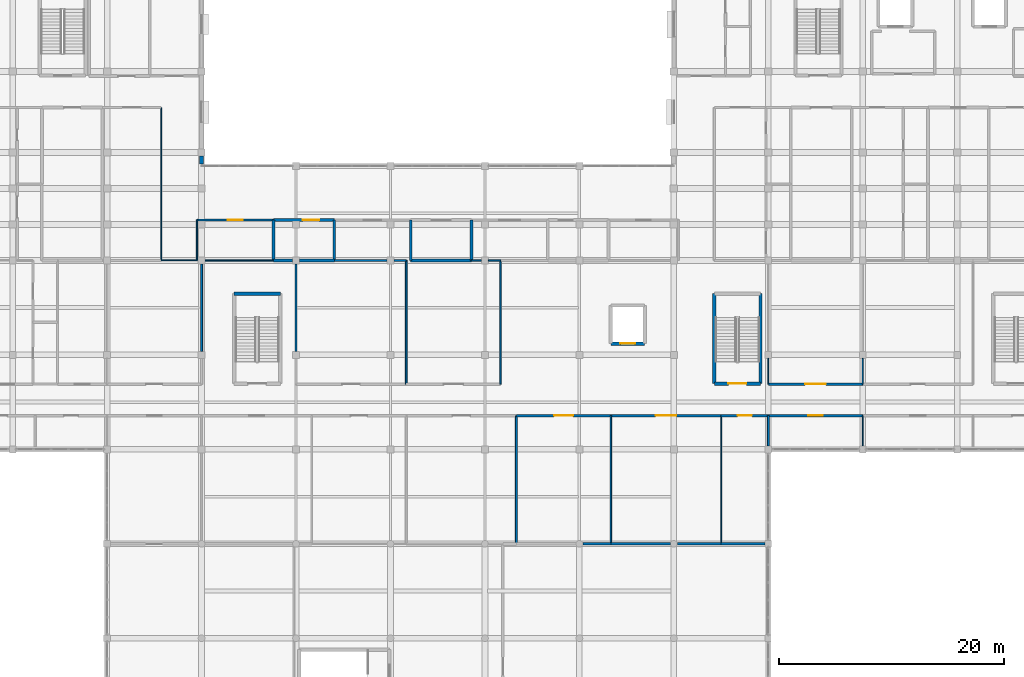
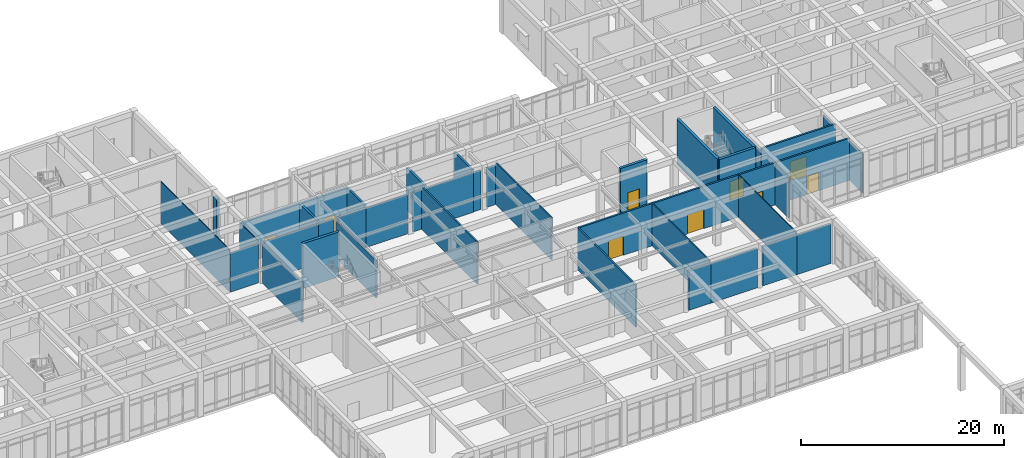
# One storey, part 61 of 89: 43 walls, 9 doors, 9 openings.
"""IFC4 building model written with IfcOpenShell, lengths in metres."""

from ifc_helpers import new_model, si_unit, direction, frame, frame_2d, origin, place, context, subcontext, project, spatial, rectangle, extrude, material, layer, layer_set, type_object, element, fill, save


model = new_model("IFC4")

# Units and contexts
model_context = context("Model", 3, precision=1e-05, world=origin(), true_north=direction((0.0, 1.0)))
body_context = subcontext(model_context, "Body", "Model", "MODEL_VIEW")
ifc_project = project(units=[si_unit("LENGTHUNIT", "METRE"), si_unit("AREAUNIT", "SQUARE_METRE"), si_unit("VOLUMEUNIT", "CUBIC_METRE"), si_unit("PLANEANGLEUNIT", "RADIAN"), si_unit("MASSUNIT", "GRAM", prefix="KILO")], contexts=[model_context])

# Site, building, storey
site_placement = place(None, origin())
site = spatial("IfcSite", under=ifc_project, at=site_placement, CompositionType="ELEMENT")
building_placement = place(site_placement, origin())
building = spatial("IfcBuilding", under=site, at=building_placement, Name="Varncliffe General Hospital", CompositionType="ELEMENT")
storey_placement = place(building_placement, frame((0.0, 0.0, 10.800048828125)))
storey = spatial("IfcBuildingStorey", under=building, at=storey_placement, Name="L02", CompositionType="ELEMENT", Elevation=10.800048828125)

# Walls
ifc_material_1 = material(Name="Precast concrete C40/50 with insulated cream lime-cement stucco", Category="concrete")
ifc_layer_1 = layer(ifc_material_1, 0.35009765625)
ifc_layer_set_1 = layer_set([ifc_layer_1], Name="Precast concrete C40/50 with insulated cream lime-cement stucco")
wall_type_1 = type_object("IfcWallType", Name="Exterior Insulated Stucco Wall EW37 (350mm)", PredefinedType="SOLIDWALL", material=ifc_layer_set_1)
wall_1_placement = place(storey_placement, frame((67.199951171875, 108.876953125, 0.0), z_axis=(0.0, 0.0, 1.0), x_axis=(0.0, -1.0, 0.0)))
element("IfcWall", 1, at=wall_1_placement, inside=storey, type_object=wall_type_1, Name="L02 Exterior Stucco Wall EW37-182", PredefinedType="SOLIDWALL", context=body_context, shape_type="SweptSolid", body=[
    extrude(rectangle(XDim=0.681884765625, YDim=0.35009765625, at=frame_2d((0.3408203125, 0.0))), origin(), (0.0, 0.0, 1.0), 4.679931640625),
])
ifc_material_2 = material(Name="Acoustic clinical gypsum stud partition assembly", Category="gypsum")
ifc_layer_2 = layer(ifc_material_2, 0.1298828125)
ifc_layer_set_2 = layer_set([ifc_layer_2], Name="Acoustic clinical gypsum stud partition assembly")
wall_type_2 = type_object("IfcWallType", Name="Interior Partitioning IW11 (130mm)", PredefinedType="PARTITIONING", material=ifc_layer_set_2)
wall_2_placement = place(storey_placement, frame((92.715087890625, 99.60009765625, 0.0), z_axis=(0.0, 0.0, 1.0), x_axis=(1.0, 0.0, 0.0)))
element("IfcWall", 2, at=wall_2_placement, inside=storey, type_object=wall_type_2, Name="L02 Interior Partition Wall IW11-1023", PredefinedType="PARTITIONING", context=body_context, shape_type="SweptSolid", body=[
    extrude(rectangle(XDim=1.0849609375, YDim=0.1298828125, at=frame_2d((0.54248046875, 0.0))), origin(), (0.0, 0.0, 1.0), 4.73486328125),
])
wall_3_placement = place(storey_placement, frame((91.199951171875, 99.60009765625, 0.0), z_axis=(0.0, 0.0, 1.0), x_axis=(1.0, 0.0, 0.0)))
element("IfcWall", 3, at=wall_3_placement, inside=storey, type_object=wall_type_2, Name="L02 Interior Partition Wall IW11-1024", PredefinedType="PARTITIONING", context=body_context, shape_type="SweptSolid", body=[
    extrude(rectangle(XDim=0.885009765625, YDim=0.1298828125, at=frame_2d((0.4423828125, 0.0))), origin(), (0.0, 0.0, 1.0), 4.73486328125),
])
wall_4_placement = place(storey_placement, frame((93.800048828125, 88.60009765625, 0.0), z_axis=(0.0, 0.0, 1.0), x_axis=(0.0, 1.0, 0.0)))
element("IfcWall", 4, at=wall_4_placement, inside=storey, type_object=wall_type_2, Name="L02 Interior Partition Wall IW11-1213", PredefinedType="PARTITIONING", context=body_context, shape_type="SweptSolid", body=[
    extrude(rectangle(XDim=11.0, YDim=0.1298828125, at=frame_2d((5.5, 0.0))), origin(), (0.0, 0.0, 1.0), 5.070068359375),
])
wall_5_placement = place(storey_placement, frame((103.60009765625, 74.39990234375, 0.0), z_axis=(0.0, 0.0, 1.0), x_axis=(0.0, 1.0, 0.0)))
element("IfcWall", 5, at=wall_5_placement, inside=storey, type_object=wall_type_2, Name="L02 Interior Partition Wall IW11-1218", PredefinedType="PARTITIONING", context=body_context, shape_type="SweptSolid", body=[
    extrude(rectangle(XDim=11.400146484375, YDim=0.1298828125, at=frame_2d((5.7001953125, 0.0))), origin(), (0.0, 0.0, 1.0), 5.070068359375),
])
ifc_layer_3 = layer(ifc_material_2, 0.169921875)
ifc_layer_set_3 = layer_set([ifc_layer_3], Name="Acoustic clinical gypsum stud partition assembly")
wall_type_3 = type_object("IfcWallType", Name="Interior Partitioning IW20 (170mm)", PredefinedType="PARTITIONING", material=ifc_layer_set_3)
wall_6_placement = place(storey_placement, frame((79.0, 99.60009765625, 0.0), z_axis=(0.0, 0.0, 1.0), x_axis=(1.0, 0.0, 0.0)))
element("IfcWall", 6, at=wall_6_placement, inside=storey, type_object=wall_type_3, Name="L02 Interior Partition Wall IW20-1020", PredefinedType="PARTITIONING", context=body_context, shape_type="SweptSolid", body=[
    extrude(rectangle(XDim=4.68505859375, YDim=0.169921875, at=frame_2d((2.342529296875, 0.0))), origin(), (0.0, 0.0, 1.0), 4.73486328125),
])
wall_7_placement = place(storey_placement, frame((84.31494140625, 99.60009765625, 0.0), z_axis=(0.0, 0.0, 1.0), x_axis=(1.0, 0.0, 0.0)))
element("IfcWall", 7, at=wall_7_placement, inside=storey, type_object=wall_type_3, Name="L02 Interior Partition Wall IW20-1021", PredefinedType="PARTITIONING", context=body_context, shape_type="SweptSolid", body=[
    extrude(rectangle(XDim=1.0849609375, YDim=0.169921875, at=frame_2d((0.54248046875, 0.0))), origin(), (0.0, 0.0, 1.0), 4.73486328125),
])
wall_8_placement = place(storey_placement, frame((67.199951171875, 91.514892578125, 0.0), z_axis=(0.0, 0.0, 1.0), x_axis=(0.0, 1.0, 0.0)))
element("IfcWall", 8, at=wall_8_placement, inside=storey, type_object=wall_type_3, Name="L02 Interior Partition Wall IW20-1200", PredefinedType="PARTITIONING", context=body_context, shape_type="SweptSolid", body=[
    extrude(rectangle(XDim=7.77001953125, YDim=0.169921875, at=frame_2d((3.885009765625, 0.0))), origin(), (0.0, 0.0, 1.0), 4.73486328125),
])
wall_9_placement = place(storey_placement, frame((75.60009765625, 91.514892578125, 0.0), z_axis=(0.0, 0.0, 1.0), x_axis=(0.0, 1.0, 0.0)))
element("IfcWall", 9, at=wall_9_placement, inside=storey, type_object=wall_type_3, Name="L02 Interior Partition Wall IW20-1205", PredefinedType="PARTITIONING", context=body_context, shape_type="SweptSolid", body=[
    extrude(rectangle(XDim=7.77001953125, YDim=0.169921875, at=frame_2d((3.885009765625, 0.0))), origin(), (0.0, 0.0, 1.0), 4.48583984375),
])
wall_10_placement = place(storey_placement, frame((85.39990234375, 88.60009765625, 0.0), z_axis=(0.0, 0.0, 1.0), x_axis=(0.0, 1.0, 0.0)))
element("IfcWall", 10, at=wall_10_placement, inside=storey, type_object=wall_type_3, Name="L02 Interior Partition Wall IW20-1210", PredefinedType="PARTITIONING", context=body_context, shape_type="SweptSolid", body=[
    extrude(rectangle(XDim=11.0, YDim=0.169921875, at=frame_2d((5.5, 0.0))), origin(), (0.0, 0.0, 1.0), 5.070068359375),
])
wall_11_placement = place(storey_placement, frame((95.199951171875, 74.39990234375, 0.0), z_axis=(0.0, 0.0, 1.0), x_axis=(0.0, 1.0, 0.0)))
element("IfcWall", 11, at=wall_11_placement, inside=storey, type_object=wall_type_3, Name="L02 Interior Partition Wall IW20-1215", PredefinedType="PARTITIONING", context=body_context, shape_type="SweptSolid", body=[
    extrude(rectangle(XDim=11.400146484375, YDim=0.169921875, at=frame_2d((5.7001953125, 0.0))), origin(), (0.0, 0.0, 1.0), 5.070068359375),
])
wall_12_placement = place(storey_placement, frame((117.60009765625, 83.114990234375, 0.0), z_axis=(0.0, 0.0, 1.0), x_axis=(0.0, 1.0, 0.0)))
element("IfcWall", 12, at=wall_12_placement, inside=storey, type_object=wall_type_3, Name="L02 Interior Partition Wall IW20-1230", PredefinedType="PARTITIONING", context=body_context, shape_type="SweptSolid", body=[
    extrude(rectangle(XDim=2.68505859375, YDim=0.169921875, at=frame_2d((1.342529296875, 0.0))), origin(), (0.0, 0.0, 1.0), 4.73486328125),
])
ifc_layer_4 = layer(ifc_material_2, 0.090087890625)
ifc_layer_set_4 = layer_set([ifc_layer_4], Name="Acoustic clinical gypsum stud partition assembly")
wall_type_4 = type_object("IfcWallType", Name="Interior Partitioning IW42 (90mm)", PredefinedType="PARTITIONING", material=ifc_layer_set_4)
wall_13_placement = place(storey_placement, frame((63.60009765625, 99.60009765625, 0.0), z_axis=(0.0, 0.0, 1.0), x_axis=(1.0, 0.0, 0.0)))
element("IfcWall", 13, at=wall_13_placement, inside=storey, type_object=wall_type_4, Name="L02 Interior Partition Wall IW42-1016", PredefinedType="PARTITIONING", context=body_context, shape_type="SweptSolid", body=[
    extrude(rectangle(XDim=3.199951171875, YDim=0.090087890625, at=frame_2d((1.60009765625, 0.0))), origin(), (0.0, 0.0, 1.0), 4.73486328125),
])
wall_14_placement = place(storey_placement, frame((63.60009765625, 99.60009765625, 0.0), z_axis=(0.0, 0.0, 1.0), x_axis=(0.0, 1.0, 0.0)))
element("IfcWall", 14, at=wall_14_placement, inside=storey, type_object=wall_type_4, Name="L02 Interior Partition Wall IW42-1196", PredefinedType="PARTITIONING", context=body_context, shape_type="SweptSolid", body=[
    extrude(rectangle(XDim=13.599853515625, YDim=0.090087890625, at=frame_2d((6.7998046875, 0.0))), origin(), (0.0, 0.0, 1.0), 5.070068359375),
])
wall_15_placement = place(storey_placement, frame((113.39990234375, 74.39990234375, 0.0), z_axis=(0.0, 0.0, 1.0), x_axis=(0.0, 1.0, 0.0)))
element("IfcWall", 15, at=wall_15_placement, inside=storey, type_object=wall_type_4, Name="L02 Interior Partition Wall IW42-1221", PredefinedType="PARTITIONING", context=body_context, shape_type="SweptSolid", body=[
    extrude(rectangle(XDim=11.400146484375, YDim=0.090087890625, at=frame_2d((5.7001953125, 0.0))), origin(), (0.0, 0.0, 1.0), 5.070068359375),
])
wall_16_placement = place(storey_placement, frame((117.60009765625, 88.60009765625, 0.0), z_axis=(0.0, 0.0, 1.0), x_axis=(0.0, 1.0, 0.0)))
element("IfcWall", 16, at=wall_16_placement, inside=storey, type_object=wall_type_4, Name="L02 Interior Partition Wall IW42-1232", PredefinedType="PARTITIONING", context=body_context, shape_type="SweptSolid", body=[
    extrude(rectangle(XDim=2.284912109375, YDim=0.090087890625, at=frame_2d((1.142578125, 0.0))), origin(), (0.0, 0.0, 1.0), 4.73486328125),
])
wall_17_placement = place(storey_placement, frame((126.0, 83.114990234375, 0.0), z_axis=(0.0, 0.0, 1.0), x_axis=(0.0, 1.0, 0.0)))
element("IfcWall", 17, at=wall_17_placement, inside=storey, type_object=wall_type_4, Name="L02 Interior Partition Wall IW42-1241", PredefinedType="PARTITIONING", context=body_context, shape_type="SweptSolid", body=[
    extrude(rectangle(XDim=2.68505859375, YDim=0.090087890625, at=frame_2d((1.342529296875, 0.0))), origin(), (0.0, 0.0, 1.0), 4.73486328125),
])
ifc_layer_5 = layer(ifc_material_2, 0.110107421875)
ifc_layer_set_5 = layer_set([ifc_layer_5], Name="Acoustic clinical gypsum stud partition assembly")
wall_type_5 = type_object("IfcWallType", Name="Interior Partitioning IW65 (110mm)", PredefinedType="PARTITIONING", material=ifc_layer_set_5)
wall_18_placement = place(storey_placement, frame((67.514892578125, 99.60009765625, 0.0), z_axis=(0.0, 0.0, 1.0), x_axis=(1.0, 0.0, 0.0)))
element("IfcWall", 18, at=wall_18_placement, inside=storey, type_object=wall_type_5, Name="L02 Interior Partition Wall IW65-1017", PredefinedType="PARTITIONING", context=body_context, shape_type="SweptSolid", body=[
    extrude(rectangle(XDim=6.085205078125, YDim=0.110107421875, at=frame_2d((3.04248046875, 0.0))), origin(), (0.0, 0.0, 1.0), 4.73486328125),
])
wall_19_placement = place(storey_placement, frame((66.800048828125, 99.60009765625, 0.0), z_axis=(0.0, 0.0, 1.0), x_axis=(0.0, 1.0, 0.0)))
element("IfcWall", 19, at=wall_19_placement, inside=storey, type_object=wall_type_5, Name="L02 Interior Partition Wall IW65-1197", PredefinedType="PARTITIONING", context=body_context, shape_type="SweptSolid", body=[
    extrude(rectangle(XDim=3.599853515625, YDim=0.110107421875, at=frame_2d((1.7998046875, 0.0))), origin(), (0.0, 0.0, 1.0), 5.070068359375),
])
wall_20_placement = place(storey_placement, frame((126.0, 88.60009765625, 0.0), z_axis=(0.0, 0.0, 1.0), x_axis=(0.0, 1.0, 0.0)))
element("IfcWall", 20, at=wall_20_placement, inside=storey, type_object=wall_type_5, Name="L02 Interior Partition Wall IW65-1243", PredefinedType="PARTITIONING", context=body_context, shape_type="SweptSolid", body=[
    extrude(rectangle(XDim=2.284912109375, YDim=0.110107421875, at=frame_2d((1.142578125, 0.0))), origin(), (0.0, 0.0, 1.0), 4.73486328125),
])
ifc_material_3 = material(Name="Fire-rated gypsum and mineral-wool partition assembly", Category="gypsum")
ifc_layer_6 = layer(ifc_material_3, 0.25)
ifc_layer_set_6 = layer_set([ifc_layer_6], Name="Fire-rated gypsum and mineral-wool partition assembly")
wall_type_6 = type_object("IfcWallType", Name="Interior Partitioning PW38 (250mm)", PredefinedType="PARTITIONING", material=ifc_layer_set_6)
wall_21_placement = place(storey_placement, frame((75.9150390625, 99.60009765625, 0.0), z_axis=(0.0, 0.0, 1.0), x_axis=(1.0, 0.0, 0.0)))
element("IfcWall", 21, at=wall_21_placement, inside=storey, type_object=wall_type_6, Name="L02 Interior Partition Wall PW38-1019", PredefinedType="PARTITIONING", context=body_context, shape_type="SweptSolid", body=[
    extrude(rectangle(XDim=3.0849609375, YDim=0.25, at=frame_2d((1.54248046875, 0.0))), origin(), (0.0, 0.0, 1.0), 4.73486328125),
])
wall_22_placement = place(storey_placement, frame((85.800048828125, 99.60009765625, 0.0), z_axis=(0.0, 0.0, 1.0), x_axis=(0.0, 1.0, 0.0)))
element("IfcWall", 22, at=wall_22_placement, inside=storey, type_object=wall_type_6, Name="L02 Interior Partition Wall PW38-1211", PredefinedType="PARTITIONING", context=body_context, shape_type="SweptSolid", body=[
    extrude(rectangle(XDim=3.599853515625, YDim=0.25, at=frame_2d((1.7998046875, 0.0))), origin(), (0.0, 0.0, 1.0), 5.070068359375),
])
ifc_layer_7 = layer(ifc_material_3, 0.22998046875)
ifc_layer_set_7 = layer_set([ifc_layer_7], Name="Fire-rated gypsum and mineral-wool partition assembly")
wall_type_7 = type_object("IfcWallType", Name="Interior Partitioning PW48 (230mm)", PredefinedType="PARTITIONING", material=ifc_layer_set_7)
wall_23_placement = place(storey_placement, frame((101.114990234375, 74.39990234375, 0.0), z_axis=(0.0, 0.0, 1.0), x_axis=(1.0, 0.0, 0.0)))
element("IfcWall", 23, at=wall_23_placement, inside=storey, type_object=wall_type_7, Name="L02 Interior Partition Wall PW48-937", PredefinedType="PARTITIONING", context=body_context, shape_type="SweptSolid", body=[
    extrude(rectangle(XDim=2.485107421875, YDim=0.22998046875, at=frame_2d((1.24267578125, 0.0))), origin(), (0.0, 0.0, 1.0), 4.73486328125),
])
wall_24_placement = place(storey_placement, frame((103.60009765625, 74.39990234375, 0.0), z_axis=(0.0, 0.0, 1.0), x_axis=(1.0, 0.0, 0.0)))
element("IfcWall", 24, at=wall_24_placement, inside=storey, type_object=wall_type_7, Name="L02 Interior Partition Wall PW48-938", PredefinedType="PARTITIONING", context=body_context, shape_type="SweptSolid", body=[
    extrude(rectangle(XDim=5.284912109375, YDim=0.22998046875, at=frame_2d((2.642578125, 0.0))), origin(), (0.0, 0.0, 1.0), 4.73486328125),
])
for number, where, z_axis, x_axis, name in (
    (25, (109.514892578125, 74.39990234375, 0.0), (0.0, 0.0, 1.0), (1.0, 0.0, 0.0), "L02 Interior Partition Wall PW48-939"),
    (26, (113.39990234375, 74.39990234375, 0.0), (0.0, 0.0, 1.0), (1.0, 0.0, 0.0), "L02 Interior Partition Wall PW48-940"),
):
    element("IfcWall", number, at=place(storey_placement, frame(where, z_axis=z_axis, x_axis=x_axis)), inside=storey, type_object=wall_type_7, Name=name, PredefinedType="PARTITIONING", context=body_context, shape_type="SweptSolid", body=[
        extrude(rectangle(XDim=3.885009765625, YDim=0.22998046875, at=frame_2d((1.9423828125, 0.0))), origin(), (0.0, 0.0, 1.0), 4.73486328125),
    ])
wall_25_placement = place(storey_placement, frame((73.60009765625, 99.60009765625, 0.0), z_axis=(0.0, 0.0, 1.0), x_axis=(1.0, 0.0, 0.0)))
element("IfcWall", 27, at=wall_25_placement, inside=storey, type_object=wall_type_7, Name="L02 Interior Partition Wall PW48-1018", PredefinedType="PARTITIONING", context=body_context, shape_type="SweptSolid", body=[
    extrude(rectangle(XDim=1.684814453125, YDim=0.22998046875, at=frame_2d((0.84228515625, 0.0))), origin(), (0.0, 0.0, 1.0), 4.73486328125),
])
wall_26_placement = place(storey_placement, frame((85.800048828125, 99.60009765625, 0.0), z_axis=(0.0, 0.0, 1.0), x_axis=(1.0, 0.0, 0.0)))
element("IfcWall", 28, at=wall_26_placement, inside=storey, type_object=wall_type_7, Name="L02 Interior Partition Wall PW48-1022", PredefinedType="PARTITIONING", context=body_context, shape_type="SweptSolid", body=[
    extrude(rectangle(XDim=5.39990234375, YDim=0.22998046875, at=frame_2d((2.699951171875, 0.0))), origin(), (0.0, 0.0, 1.0), 4.73486328125),
])

# Wall, opening, door
wall_27_placement = place(storey_placement, frame((73.60009765625, 103.199951171875, 0.0), z_axis=(0.0, 0.0, 1.0), x_axis=(1.0, 0.0, 0.0)))
wall_27 = element("IfcWall", 29, at=wall_27_placement, inside=storey, type_object=wall_type_7, Name="L02 Interior Partition Wall PW48-1048", PredefinedType="PARTITIONING", context=body_context, shape_type="SweptSolid", body=[
    extrude(rectangle(XDim=5.39990234375, YDim=0.22998046875, at=frame_2d((2.699951171875, 0.0))), origin(), (0.0, 0.0, 1.0), 5.070068359375),
])
opening_1_placement = place(wall_27_placement, frame((2.599609375, 0.0, 0.0)))
opening_1 = element("IfcOpeningElement", 30, at=opening_1_placement, cuts=wall_27, Name="Opening DC66", PredefinedType="OPENING", context=body_context, shape_type="SweptSolid", body=[
    extrude(rectangle(XDim=1.449951171875, YDim=2.25, at=frame_2d((0.72509765625, 1.125))), frame((0.0, 0.125, 0.0), z_axis=(0.0, -1.0, 0.0), x_axis=(1.0, 0.0, 0.0)), (0.0, 0.0, 1.0), 0.25),
])
ifc_material_4 = material(Name="Fire-rated hospital steel-frame vision-panel door", Category="steel")
door_type_1 = type_object("IfcDoorType", Name="Interior Hospital Door DC66 (1450x2250)", OperationType="NOTDEFINED", PredefinedType="DOOR", material=ifc_material_4)
door_1_placement = place(opening_1_placement, frame((1.449951171875, 0.0, 0.0), z_axis=(0.0, 0.0, 1.0), x_axis=(-1.0, 0.0, 0.0)))
door_1 = element("IfcDoor", 31, at=door_1_placement, inside=storey, type_object=door_type_1, Name="L02 Surgical Sub-Sterile Utility Store 169 Door", OperationType="SINGLE_SWING_RIGHT", OverallHeight=2.25, OverallWidth=1.449951171875, PredefinedType="DOOR", context=body_context, shape_type="SweptSolid", body=[
    extrude(rectangle(XDim=1.449951171875, YDim=2.25, at=frame_2d((0.72509765625, 1.125))), frame((0.0, 0.02490234375, 0.0), z_axis=(0.0, -1.0, 0.0), x_axis=(1.0, 0.0, 0.0)), (0.0, 0.0, 1.0), 0.050048828125),
])
fill(opening_1, door_1)

# Walls
for number, where, z_axis, x_axis, name in (
    (32, (73.60009765625, 99.60009765625, 0.0), (0.0, 0.0, 1.0), (0.0, 1.0, 0.0), "L02 Interior Partition Wall PW48-1202"),
    (33, (79.0, 99.60009765625, 0.0), (0.0, 0.0, 1.0), (0.0, 1.0, 0.0), "L02 Interior Partition Wall PW48-1208"),
    (34, (91.199951171875, 99.60009765625, 0.0), (0.0, 0.0, 1.0), (0.0, 1.0, 0.0), "L02 Interior Partition Wall PW48-1212"),
):
    element("IfcWall", number, at=place(storey_placement, frame(where, z_axis=z_axis, x_axis=x_axis)), inside=storey, type_object=wall_type_7, Name=name, PredefinedType="PARTITIONING", context=body_context, shape_type="SweptSolid", body=[
        extrude(rectangle(XDim=3.599853515625, YDim=0.22998046875, at=frame_2d((1.7998046875, 0.0))), origin(), (0.0, 0.0, 1.0), 5.070068359375),
    ])

# Wall, opening, door
ifc_layer_8 = layer(ifc_material_3, 0.199951171875)
ifc_layer_set_8 = layer_set([ifc_layer_8], Name="Fire-rated gypsum and mineral-wool partition assembly")
wall_type_8 = type_object("IfcWallType", Name="Interior Partitioning PW63 (200mm)", PredefinedType="PARTITIONING", material=ifc_layer_set_8)
wall_28_placement = place(storey_placement, frame((95.199951171875, 85.800048828125, 0.0), z_axis=(0.0, 0.0, 1.0), x_axis=(1.0, 0.0, 0.0)))
wall_28 = element("IfcWall", 35, at=wall_28_placement, inside=storey, type_object=wall_type_8, Name="L02 Interior Partition Wall PW63-960", PredefinedType="PARTITIONING", context=body_context, shape_type="SweptSolid", body=[
    extrude(rectangle(XDim=8.400146484375, YDim=0.199951171875, at=frame_2d((4.2001953125, 0.0))), origin(), (0.0, 0.0, 1.0), 5.070068359375),
])
opening_2_placement = place(wall_28_placement, frame((3.35009765625, 0.0, 0.0)))
opening_2 = element("IfcOpeningElement", 36, at=opening_2_placement, cuts=wall_28, Name="Opening DC50", PredefinedType="OPENING", context=body_context, shape_type="SweptSolid", body=[
    extrude(rectangle(XDim=1.699951171875, YDim=2.300048828125, at=frame_2d((0.85009765625, 1.14990234375))), frame((0.0, 0.10986328125, 0.0), z_axis=(0.0, -1.0, 0.0), x_axis=(1.0, 0.0, 0.0)), (0.0, 0.0, 1.0), 0.219970703125),
])
door_type_2 = type_object("IfcDoorType", Name="Interior Hospital Door DC50 (1700x2300)", OperationType="NOTDEFINED", PredefinedType="DOOR", material=ifc_material_4)
door_2_placement = place(opening_2_placement, frame((1.699951171875, 0.0, 0.0), z_axis=(0.0, 0.0, 1.0), x_axis=(-1.0, 0.0, 0.0)))
door_2 = element("IfcDoor", 37, at=door_2_placement, inside=storey, type_object=door_type_2, Name="L02 Surgical Operating Theatre 68 Door", OperationType="SINGLE_SWING_LEFT", OverallHeight=2.300048828125, OverallWidth=1.699951171875, PredefinedType="DOOR", context=body_context, shape_type="SweptSolid", body=[
    extrude(rectangle(XDim=1.699951171875, YDim=2.300048828125, at=frame_2d((0.85009765625, 1.14990234375))), frame((0.0, 0.02490234375, 0.0), z_axis=(0.0, -1.0, 0.0), x_axis=(1.0, 0.0, 0.0)), (0.0, 0.0, 1.0), 0.050048828125),
])
fill(opening_2, door_2)

wall_29_placement = place(storey_placement, frame((103.60009765625, 85.800048828125, 0.0), z_axis=(0.0, 0.0, 1.0), x_axis=(1.0, 0.0, 0.0)))
wall_29 = element("IfcWall", 38, at=wall_29_placement, inside=storey, type_object=wall_type_8, Name="L02 Interior Partition Wall PW63-961", PredefinedType="PARTITIONING", context=body_context, shape_type="SweptSolid", body=[
    extrude(rectangle(XDim=9.7998046875, YDim=0.199951171875, at=frame_2d((4.89990234375, 0.0))), origin(), (0.0, 0.0, 1.0), 5.070068359375),
])
opening_3_placement = place(wall_29_placement, frame((3.97509765625, 0.0, 0.0)))
opening_3 = element("IfcOpeningElement", 39, at=opening_3_placement, cuts=wall_29, Name="Opening DC38", PredefinedType="OPENING", context=body_context, shape_type="SweptSolid", body=[
    extrude(rectangle(XDim=1.85009765625, YDim=2.300048828125, at=frame_2d((0.925048828125, 1.14990234375))), frame((0.0, 0.10986328125, 0.0), z_axis=(0.0, -1.0, 0.0), x_axis=(1.0, 0.0, 0.0)), (0.0, 0.0, 1.0), 0.219970703125),
])
door_type_3 = type_object("IfcDoorType", Name="Interior Hospital Door DC38 (1850x2300)", OperationType="NOTDEFINED", PredefinedType="DOOR", material=ifc_material_4)
door_3_placement = place(opening_3_placement, frame((1.85009765625, 0.0, 0.0), z_axis=(0.0, 0.0, 1.0), x_axis=(-1.0, 0.0, 0.0)))
door_3 = element("IfcDoor", 40, at=door_3_placement, inside=storey, type_object=door_type_3, Name="L02 Post-Anaesthesia Care Recovery PACU 69 Door", OperationType="SINGLE_SWING_RIGHT", OverallHeight=2.300048828125, OverallWidth=1.85009765625, PredefinedType="DOOR", context=body_context, shape_type="SweptSolid", body=[
    extrude(rectangle(XDim=1.85009765625, YDim=2.300048828125, at=frame_2d((0.925048828125, 1.14990234375))), frame((0.0, 0.02490234375, 0.0), z_axis=(0.0, -1.0, 0.0), x_axis=(1.0, 0.0, 0.0)), (0.0, 0.0, 1.0), 0.050048828125),
])
fill(opening_3, door_3)

wall_30_placement = place(storey_placement, frame((113.39990234375, 85.800048828125, 0.0), z_axis=(0.0, 0.0, 1.0), x_axis=(1.0, 0.0, 0.0)))
wall_30 = element("IfcWall", 41, at=wall_30_placement, inside=storey, type_object=wall_type_8, Name="L02 Interior Partition Wall PW63-962", PredefinedType="PARTITIONING", context=body_context, shape_type="SweptSolid", body=[
    extrude(rectangle(XDim=4.2001953125, YDim=0.199951171875, at=frame_2d((2.10009765625, 0.0))), origin(), (0.0, 0.0, 1.0), 5.070068359375),
])
opening_4_placement = place(wall_30_placement, frame((1.47509765625, 0.0, 0.0)))
opening_4 = element("IfcOpeningElement", 42, at=opening_4_placement, cuts=wall_30, Name="Opening DC44", PredefinedType="OPENING", context=body_context, shape_type="SweptSolid", body=[
    extrude(rectangle(XDim=1.25, YDim=2.14990234375, at=frame_2d((0.625, 1.074951171875))), frame((0.0, 0.10986328125, 0.0), z_axis=(0.0, -1.0, 0.0), x_axis=(1.0, 0.0, 0.0)), (0.0, 0.0, 1.0), 0.219970703125),
])
door_type_4 = type_object("IfcDoorType", Name="Interior Hospital Door DC44 (1250x2150)", OperationType="NOTDEFINED", PredefinedType="DOOR", material=ifc_material_4)
door_4_placement = place(opening_4_placement, frame((1.25, 0.0, 0.0), z_axis=(0.0, 0.0, 1.0), x_axis=(-1.0, 0.0, 0.0)))
door_4 = element("IfcDoor", 43, at=door_4_placement, inside=storey, type_object=door_type_4, Name="L02 Surgical Operating Theatre 70 Door", OperationType="SINGLE_SWING_LEFT", OverallHeight=2.14990234375, OverallWidth=1.25, PredefinedType="DOOR", context=body_context, shape_type="SweptSolid", body=[
    extrude(rectangle(XDim=1.25, YDim=2.14990234375, at=frame_2d((0.625, 1.074951171875))), frame((0.0, 0.02490234375, 0.0), z_axis=(0.0, -1.0, 0.0), x_axis=(1.0, 0.0, 0.0)), (0.0, 0.0, 1.0), 0.050048828125),
])
fill(opening_4, door_4)

wall_31_placement = place(storey_placement, frame((117.60009765625, 85.800048828125, 0.0), z_axis=(0.0, 0.0, 1.0), x_axis=(1.0, 0.0, 0.0)))
wall_31 = element("IfcWall", 44, at=wall_31_placement, inside=storey, type_object=wall_type_8, Name="L02 Interior Partition Wall PW63-963", PredefinedType="PARTITIONING", context=body_context, shape_type="SweptSolid", body=[
    extrude(rectangle(XDim=8.39990234375, YDim=0.199951171875, at=frame_2d((4.199951171875, 0.0))), origin(), (0.0, 0.0, 1.0), 5.070068359375),
])
opening_5_placement = place(wall_31_placement, frame((3.550048828125, 0.0, 0.0)))
opening_5 = element("IfcOpeningElement", 45, at=opening_5_placement, cuts=wall_31, Name="Opening DC88", PredefinedType="OPENING", context=body_context, shape_type="SweptSolid", body=[
    extrude(rectangle(XDim=1.300048828125, YDim=2.199951171875, at=frame_2d((0.64990234375, 1.10009765625))), frame((0.0, 0.10986328125, 0.0), z_axis=(0.0, -1.0, 0.0), x_axis=(1.0, 0.0, 0.0)), (0.0, 0.0, 1.0), 0.219970703125),
])
door_type_5 = type_object("IfcDoorType", Name="Interior Hospital Door DC88 (1300x2200)", OperationType="NOTDEFINED", PredefinedType="DOOR", material=ifc_material_4)
door_5_placement = place(opening_5_placement, frame((1.300048828125, 0.0, 0.0), z_axis=(0.0, 0.0, 1.0), x_axis=(-1.0, 0.0, 0.0)))
door_5 = element("IfcDoor", 46, at=door_5_placement, inside=storey, type_object=door_type_5, Name="L02 Surgical Operating Theatre 71 Door", OperationType="SINGLE_SWING_RIGHT", OverallHeight=2.199951171875, OverallWidth=1.300048828125, PredefinedType="DOOR", context=body_context, shape_type="SweptSolid", body=[
    extrude(rectangle(XDim=1.300048828125, YDim=2.199951171875, at=frame_2d((0.64990234375, 1.10009765625))), frame((0.0, 0.02490234375, 0.0), z_axis=(0.0, -1.0, 0.0), x_axis=(1.0, 0.0, 0.0)), (0.0, 0.0, 1.0), 0.050048828125),
])
fill(opening_5, door_5)

wall_32_placement = place(storey_placement, frame((117.60009765625, 88.60009765625, 0.0), z_axis=(0.0, 0.0, 1.0), x_axis=(1.0, 0.0, 0.0)))
wall_32 = element("IfcWall", 47, at=wall_32_placement, inside=storey, type_object=wall_type_8, Name="L02 Interior Partition Wall PW63-979", PredefinedType="PARTITIONING", context=body_context, shape_type="SweptSolid", body=[
    extrude(rectangle(XDim=8.39990234375, YDim=0.199951171875, at=frame_2d((4.199951171875, 0.0))), origin(), (0.0, 0.0, 1.0), 5.070068359375),
])
opening_6_placement = place(wall_32_placement, frame((3.27490234375, 0.0, 0.0)))
opening_6 = element("IfcOpeningElement", 48, at=opening_6_placement, cuts=wall_32, Name="Opening DC38", PredefinedType="OPENING", context=body_context, shape_type="SweptSolid", body=[
    extrude(rectangle(XDim=1.85009765625, YDim=2.300048828125, at=frame_2d((0.925048828125, 1.14990234375))), frame((0.0, 0.10986328125, 0.0), z_axis=(0.0, -1.0, 0.0), x_axis=(1.0, 0.0, 0.0)), (0.0, 0.0, 1.0), 0.219970703125),
])
door_6_placement = place(opening_6_placement, origin())
door_6 = element("IfcDoor", 49, at=door_6_placement, inside=storey, type_object=door_type_3, Name="L02 Surgical Operating Theatre 78 Door", OperationType="SINGLE_SWING_RIGHT", OverallHeight=2.300048828125, OverallWidth=1.85009765625, PredefinedType="DOOR", context=body_context, shape_type="SweptSolid", body=[
    extrude(rectangle(XDim=1.85009765625, YDim=2.300048828125, at=frame_2d((0.925048828125, 1.14990234375))), frame((0.0, 0.02490234375, 0.0), z_axis=(0.0, -1.0, 0.0), x_axis=(1.0, 0.0, 0.0)), (0.0, 0.0, 1.0), 0.050048828125),
])
fill(opening_6, door_6)

wall_33_placement = place(storey_placement, frame((66.800048828125, 103.199951171875, 0.0), z_axis=(0.0, 0.0, 1.0), x_axis=(1.0, 0.0, 0.0)))
wall_33 = element("IfcWall", 50, at=wall_33_placement, inside=storey, type_object=wall_type_8, Name="L02 Interior Partition Wall PW63-1047", PredefinedType="PARTITIONING", context=body_context, shape_type="SweptSolid", body=[
    extrude(rectangle(XDim=6.800048828125, YDim=0.199951171875, at=frame_2d((3.39990234375, 0.0))), origin(), (0.0, 0.0, 1.0), 5.070068359375),
])
opening_7_placement = place(wall_33_placement, frame((2.72509765625, 0.0, 0.0)))
opening_7 = element("IfcOpeningElement", 51, at=opening_7_placement, cuts=wall_33, Name="Opening DC85", PredefinedType="OPENING", context=body_context, shape_type="SweptSolid", body=[
    extrude(rectangle(XDim=1.35009765625, YDim=2.199951171875, at=frame_2d((0.675048828125, 1.10009765625))), frame((0.0, 0.10986328125, 0.0), z_axis=(0.0, -1.0, 0.0), x_axis=(1.0, 0.0, 0.0)), (0.0, 0.0, 1.0), 0.219970703125),
])
door_type_6 = type_object("IfcDoorType", Name="Interior Hospital Door DC85 (1350x2200)", OperationType="NOTDEFINED", PredefinedType="DOOR", material=ifc_material_4)
door_7_placement = place(opening_7_placement, frame((1.35009765625, 0.0, 0.0), z_axis=(0.0, 0.0, 1.0), x_axis=(-1.0, 0.0, 0.0)))
door_7 = element("IfcDoor", 52, at=door_7_placement, inside=storey, type_object=door_type_6, Name="L02 Surgical Inpatient Ward Room 168 Door", OperationType="SINGLE_SWING_LEFT", OverallHeight=2.199951171875, OverallWidth=1.35009765625, PredefinedType="DOOR", context=body_context, shape_type="SweptSolid", body=[
    extrude(rectangle(XDim=1.35009765625, YDim=2.199951171875, at=frame_2d((0.675048828125, 1.10009765625))), frame((0.0, 0.02490234375, 0.0), z_axis=(0.0, -1.0, 0.0), x_axis=(1.0, 0.0, 0.0)), (0.0, 0.0, 1.0), 0.050048828125),
])
fill(opening_7, door_7)

# Walls
ifc_material_5 = material(Name="Concrete C40/50 (CSA A23.1 40 MPa)", Category="concrete")
ifc_layer_9 = layer(ifc_material_5, 0.300048828125)
ifc_layer_set_9 = layer_set([ifc_layer_9], Name="Concrete C40/50 (CSA A23.1 40 MPa)")
wall_type_9 = type_object("IfcWallType", Name="Reinforced Concrete Core Shear Wall CW12 (300mm)", PredefinedType="SHEAR", material=ifc_layer_set_9)
for number, where, z_axis, x_axis, name in (
    (53, (116.89990234375, 88.64990234375, 0.0), (0.0, 0.0, 1.0), (0.0, 1.0, 0.0), "L02 ST06 Core Shear Wall L"),
    (54, (112.800048828125, 96.64990234375, 0.0), (0.0, 0.0, 1.0), (0.0, -1.0, 0.0), "L02 ST06 Core Shear Wall R"),
):
    element("IfcWall", number, at=place(storey_placement, frame(where, z_axis=z_axis, x_axis=x_axis)), inside=storey, type_object=wall_type_9, Name=name, PredefinedType="SHEAR", context=body_context, shape_type="SweptSolid", body=[
        extrude(rectangle(XDim=8.0, YDim=0.300048828125, at=frame_2d((4.0, 0.0))), origin(), (0.0, 0.0, 1.0), 5.39990234375),
    ])

# Wall, opening, door
wall_34_placement = place(storey_placement, frame((112.800048828125, 88.64990234375, 0.0), z_axis=(0.0, 0.0, 1.0), x_axis=(1.0, 0.0, 0.0)))
wall_34 = element("IfcWall", 55, at=wall_34_placement, inside=storey, type_object=wall_type_9, Name="L02 ST06 Core Shear Wall N", PredefinedType="SHEAR", context=body_context, shape_type="SweptSolid", body=[
    extrude(rectangle(XDim=4.099853515625, YDim=0.300048828125, at=frame_2d((2.0498046875, 0.0))), origin(), (0.0, 0.0, 1.0), 5.39990234375),
])
opening_8_placement = place(wall_34_placement, frame((1.25, 0.0, 0.0)))
opening_8 = element("IfcOpeningElement", 56, at=opening_8_placement, cuts=wall_34, Name="Opening DF27", PredefinedType="OPENING", context=body_context, shape_type="SweptSolid", body=[
    extrude(rectangle(XDim=1.60009765625, YDim=2.25, at=frame_2d((0.800048828125, 1.125))), frame((0.0, 0.16015625, 0.0), z_axis=(0.0, -1.0, 0.0), x_axis=(1.0, 0.0, 0.0)), (0.0, 0.0, 1.0), 0.320068359375),
])
door_type_7 = type_object("IfcDoorType", Name="Interior Hospital Door DF27 (1600x2250)", OperationType="NOTDEFINED", PredefinedType="DOOR", material=ifc_material_4)
door_8_placement = place(opening_8_placement, frame((1.60009765625, 0.0, 0.0), z_axis=(0.0, 0.0, 1.0), x_axis=(-1.0, 0.0, 0.0)))
door_8 = element("IfcDoor", 57, at=door_8_placement, inside=storey, type_object=door_type_7, Name="L02 ST06 Protected Exit Stair Door", OperationType="SINGLE_SWING_LEFT", OverallHeight=2.25, OverallWidth=1.60009765625, PredefinedType="DOOR", context=body_context, shape_type="SweptSolid", body=[
    extrude(rectangle(XDim=1.60009765625, YDim=2.25, at=frame_2d((0.800048828125, 1.125))), frame((0.0, 0.02490234375, 0.0), z_axis=(0.0, -1.0, 0.0), x_axis=(1.0, 0.0, 0.0)), (0.0, 0.0, 1.0), 0.050048828125),
])
fill(opening_8, door_8)

# Wall
wall_35_placement = place(storey_placement, frame((74.199951171875, 96.64990234375, 0.0), z_axis=(0.0, 0.0, 1.0), x_axis=(-1.0, 0.0, 0.0)))
element("IfcWall", 58, at=wall_35_placement, inside=storey, type_object=wall_type_9, Name="L02 ST12 Core Shear Wall F", PredefinedType="SHEAR", context=body_context, shape_type="SweptSolid", body=[
    extrude(rectangle(XDim=4.099853515625, YDim=0.300048828125, at=frame_2d((2.0498046875, 0.0))), origin(), (0.0, 0.0, 1.0), 5.39990234375),
])

# Wall, opening, door
wall_36_placement = place(storey_placement, frame((103.60009765625, 92.199951171875, 0.0), z_axis=(0.0, 0.0, 1.0), x_axis=(1.0, 0.0, 0.0)))
wall_36 = element("IfcWall", 59, at=wall_36_placement, inside=storey, type_object=wall_type_9, Name="L02 LF07 Elevator Shaft Wall South", PredefinedType="SHEAR", context=body_context, shape_type="SweptSolid", body=[
    extrude(rectangle(XDim=3.0, YDim=0.300048828125, at=frame_2d((1.5, 0.0))), origin(), (0.0, 0.0, 1.0), 5.39990234375),
])
opening_9_placement = place(wall_36_placement, frame((0.85009765625, 0.0, 0.0)))
opening_9 = element("IfcOpeningElement", 60, at=opening_9_placement, cuts=wall_36, Name="Opening LD02", PredefinedType="OPENING", context=body_context, shape_type="SweptSolid", body=[
    extrude(rectangle(XDim=1.300048828125, YDim=2.199951171875, at=frame_2d((0.64990234375, 1.10009765625))), frame((0.0, 0.16015625, 0.0), z_axis=(0.0, -1.0, 0.0), x_axis=(1.0, 0.0, 0.0)), (0.0, 0.0, 1.0), 0.320068359375),
])
ifc_material_6 = material(Name="Brushed stainless-steel sliding elevator landing door", Category="steel")
door_type_8 = type_object("IfcDoorType", Name="Lift Landing Door LD02 (1300x2200)", OperationType="DOUBLE_DOOR_SLIDING", PredefinedType="DOOR", material=ifc_material_6)
door_9_placement = place(opening_9_placement, origin())
door_9 = element("IfcDoor", 61, at=door_9_placement, inside=storey, type_object=door_type_8, Name="Lift Landing Door LF07 L02", OperationType="DOUBLE_DOOR_SLIDING", OverallHeight=2.199951171875, OverallWidth=1.300048828125, PredefinedType="DOOR", context=body_context, shape_type="SweptSolid", body=[
    extrude(rectangle(XDim=1.300048828125, YDim=2.199951171875, at=frame_2d((0.64990234375, 1.10009765625))), frame((0.0, 0.02490234375, 0.0), z_axis=(0.0, -1.0, 0.0), x_axis=(1.0, 0.0, 0.0)), (0.0, 0.0, 1.0), 0.050048828125),
])
fill(opening_9, door_9)

save(model, "model.ifc")
